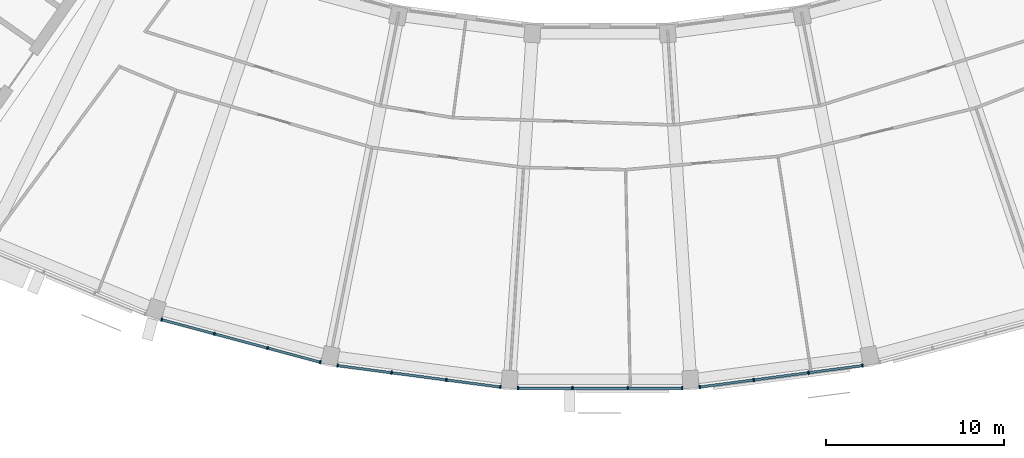
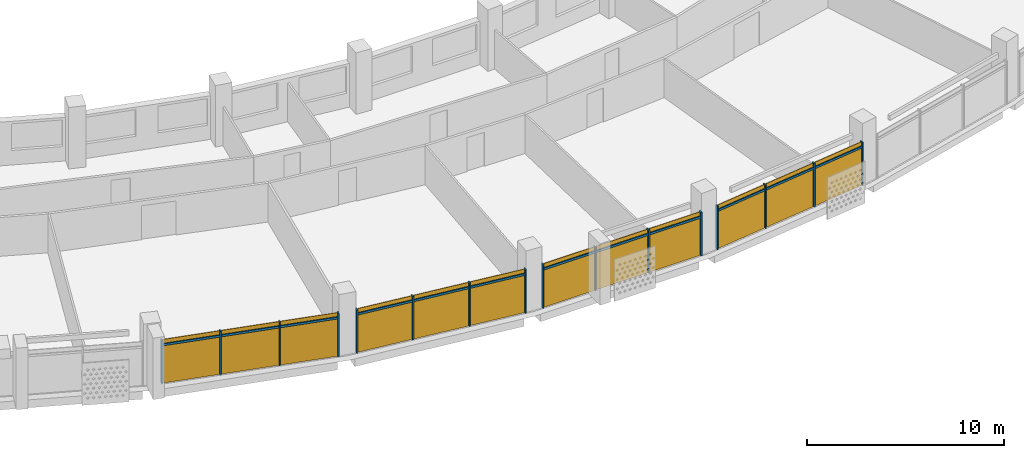
# One storey, part 20 of 28: 28 members, 4 curtain walls.
"""IFC4 building model written with IfcOpenShell, lengths in metres."""

from ifc_helpers import new_model, si_unit, direction, frame, origin, origin_2d, place, context, subcontext, project, spatial, rectangle, extrude, material, material_profile, profile_set, type_object, element, aggregate, save


model = new_model("IFC4")

# Units and contexts
model_context = context("Model", 3, precision=1e-05, world=origin(), true_north=direction((0.0, 1.0)))
body_context = subcontext(model_context, "Body", "Model", "MODEL_VIEW")
ifc_project = project(units=[si_unit("LENGTHUNIT", "METRE"), si_unit("AREAUNIT", "SQUARE_METRE"), si_unit("VOLUMEUNIT", "CUBIC_METRE"), si_unit("PLANEANGLEUNIT", "RADIAN"), si_unit("MASSUNIT", "GRAM", prefix="KILO")], contexts=[model_context])

# Member
ifc_material = material(Name="Aluminium 6063-T6 anodised", Category="aluminium")
ifc_material_profile_1 = material_profile(ifc_material, rectangle(XDim=0.199951171875, YDim=0.070068359375, at=origin_2d()))
ifc_profile_set_1 = profile_set([ifc_material_profile_1], Name="Aluminium 6063-T6 anodised")
member_type_1 = type_object("IfcMemberType", Name="Mullion 70 x 200 aluminium", PredefinedType="MULLION", material=ifc_profile_set_1)
site_placement = place(None, origin())
building_placement = place(site_placement, origin())
storey_placement = place(building_placement, frame((0.0, 0.0, 277.10009765625)))
member_1_placement = place(storey_placement, frame((-24.676025390625, -74.224853515625, 0.0), z_axis=(0.0, 0.0, 1.0), x_axis=(0.258819045103, 0.965925826289, 0.0)))
member_1 = element("IfcMember", 1, at=member_1_placement, type_object=member_type_1, Name="e-cw1-L67-out05/M00", PredefinedType="MULLION", context=body_context, shape_type="SweptSolid", body=[
    extrude(rectangle(XDim=0.199951171875, YDim=0.070068359375, at=origin_2d()), origin(), (0.0, 0.0, 1.0), 2.699951171875),
])

member_2_placement = place(storey_placement, frame((-21.70947265625, -75.019775390625, 0.0), z_axis=(0.0, 0.0, 1.0), x_axis=(0.258819045103, 0.965925826289, 0.0)))
member_2 = element("IfcMember", 2, at=member_2_placement, type_object=member_type_1, Name="e-cw1-L67-out05/M01", PredefinedType="MULLION", context=body_context, shape_type="SweptSolid", body=[
    extrude(rectangle(XDim=0.199951171875, YDim=0.070068359375, at=origin_2d()), origin(), (0.0, 0.0, 1.0), 2.699951171875),
])

member_3_placement = place(storey_placement, frame((-18.708984375, -75.82373046875, 0.0), z_axis=(0.0, 0.0, 1.0), x_axis=(0.258819045103, 0.965925826289, 0.0)))
member_3 = element("IfcMember", 3, at=member_3_placement, type_object=member_type_1, Name="e-cw1-L67-out05/M02", PredefinedType="MULLION", context=body_context, shape_type="SweptSolid", body=[
    extrude(rectangle(XDim=0.199951171875, YDim=0.070068359375, at=origin_2d()), origin(), (0.0, 0.0, 1.0), 2.699951171875),
])

member_4_placement = place(storey_placement, frame((-15.742431640625, -76.618408203125, 0.0), z_axis=(0.0, 0.0, 1.0), x_axis=(0.258819045103, 0.965925826289, 0.0)))
member_4 = element("IfcMember", 4, at=member_4_placement, type_object=member_type_1, Name="e-cw1-L67-out05/M03", PredefinedType="MULLION", context=body_context, shape_type="SweptSolid", body=[
    extrude(rectangle(XDim=0.199951171875, YDim=0.070068359375, at=origin_2d()), origin(), (0.0, 0.0, 1.0), 2.699951171875),
])

member_5_placement = place(storey_placement, frame((-14.776611328125, -76.810546875, 0.0), z_axis=(0.0, 0.0, 1.0), x_axis=(0.13052619222, 0.991444861374, 0.0)))
member_5 = element("IfcMember", 5, at=member_5_placement, type_object=member_type_1, Name="e-cw1-L67-out06/M00", PredefinedType="MULLION", context=body_context, shape_type="SweptSolid", body=[
    extrude(rectangle(XDim=0.199951171875, YDim=0.070068359375, at=origin_2d()), origin(), (0.0, 0.0, 1.0), 2.699951171875),
])

member_6_placement = place(storey_placement, frame((-11.731689453125, -77.21142578125, 0.0), z_axis=(0.0, 0.0, 1.0), x_axis=(0.13052619222, 0.991444861374, 0.0)))
member_6 = element("IfcMember", 6, at=member_6_placement, type_object=member_type_1, Name="e-cw1-L67-out06/M01", PredefinedType="MULLION", context=body_context, shape_type="SweptSolid", body=[
    extrude(rectangle(XDim=0.199951171875, YDim=0.070068359375, at=origin_2d()), origin(), (0.0, 0.0, 1.0), 2.699951171875),
])

member_7_placement = place(storey_placement, frame((-8.65185546875, -77.616943359375, 0.0), z_axis=(0.0, 0.0, 1.0), x_axis=(0.13052619222, 0.991444861374, 0.0)))
member_7 = element("IfcMember", 7, at=member_7_placement, type_object=member_type_1, Name="e-cw1-L67-out06/M02", PredefinedType="MULLION", context=body_context, shape_type="SweptSolid", body=[
    extrude(rectangle(XDim=0.199951171875, YDim=0.070068359375, at=origin_2d()), origin(), (0.0, 0.0, 1.0), 2.699951171875),
])

member_8_placement = place(storey_placement, frame((-5.60693359375, -78.017822265625, 0.0), z_axis=(0.0, 0.0, 1.0), x_axis=(0.13052619222, 0.991444861374, 0.0)))
member_8 = element("IfcMember", 8, at=member_8_placement, type_object=member_type_1, Name="e-cw1-L67-out06/M03", PredefinedType="MULLION", context=body_context, shape_type="SweptSolid", body=[
    extrude(rectangle(XDim=0.199951171875, YDim=0.070068359375, at=origin_2d()), origin(), (0.0, 0.0, 1.0), 2.699951171875),
])

member_9_placement = place(storey_placement, frame((-4.624267578125, -78.082275390625, 0.0), z_axis=(0.0, 0.0, 1.0), x_axis=(0.0, 1.0, 0.0)))
member_9 = element("IfcMember", 9, at=member_9_placement, type_object=member_type_1, Name="e-cw1-L67-out07/M00", PredefinedType="MULLION", context=body_context, shape_type="SweptSolid", body=[
    extrude(rectangle(XDim=0.199951171875, YDim=0.070068359375, at=origin_2d()), origin(), (0.0, 0.0, 1.0), 2.699951171875),
])

member_10_placement = place(storey_placement, frame((-1.55322265625, -78.082275390625, 0.0), z_axis=(0.0, 0.0, 1.0), x_axis=(0.0, 1.0, 0.0)))
member_10 = element("IfcMember", 10, at=member_10_placement, type_object=member_type_1, Name="e-cw1-L67-out07/M01", PredefinedType="MULLION", context=body_context, shape_type="SweptSolid", body=[
    extrude(rectangle(XDim=0.199951171875, YDim=0.070068359375, at=origin_2d()), origin(), (0.0, 0.0, 1.0), 2.699951171875),
])

member_11_placement = place(storey_placement, frame((1.55322265625, -78.082275390625, 0.0), z_axis=(0.0, 0.0, 1.0), x_axis=(0.0, 1.0, 0.0)))
member_11 = element("IfcMember", 11, at=member_11_placement, type_object=member_type_1, Name="e-cw1-L67-out07/M02", PredefinedType="MULLION", context=body_context, shape_type="SweptSolid", body=[
    extrude(rectangle(XDim=0.199951171875, YDim=0.070068359375, at=origin_2d()), origin(), (0.0, 0.0, 1.0), 2.699951171875),
])

member_12_placement = place(storey_placement, frame((4.624267578125, -78.082275390625, 0.0), z_axis=(0.0, 0.0, 1.0), x_axis=(0.0, 1.0, 0.0)))
member_12 = element("IfcMember", 12, at=member_12_placement, type_object=member_type_1, Name="e-cw1-L67-out07/M03", PredefinedType="MULLION", context=body_context, shape_type="SweptSolid", body=[
    extrude(rectangle(XDim=0.199951171875, YDim=0.070068359375, at=origin_2d()), origin(), (0.0, 0.0, 1.0), 2.699951171875),
])

member_13_placement = place(storey_placement, frame((5.60693359375, -78.017822265625, 0.0), z_axis=(0.0, 0.0, 1.0), x_axis=(-0.13052619222, 0.991444861374, 0.0)))
member_13 = element("IfcMember", 13, at=member_13_placement, type_object=member_type_1, Name="e-cw1-L67-out08/M00", PredefinedType="MULLION", context=body_context, shape_type="SweptSolid", body=[
    extrude(rectangle(XDim=0.199951171875, YDim=0.070068359375, at=origin_2d()), origin(), (0.0, 0.0, 1.0), 2.699951171875),
])

member_14_placement = place(storey_placement, frame((8.65185546875, -77.616943359375, 0.0), z_axis=(0.0, 0.0, 1.0), x_axis=(-0.13052619222, 0.991444861374, 0.0)))
member_14 = element("IfcMember", 14, at=member_14_placement, type_object=member_type_1, Name="e-cw1-L67-out08/M01", PredefinedType="MULLION", context=body_context, shape_type="SweptSolid", body=[
    extrude(rectangle(XDim=0.199951171875, YDim=0.070068359375, at=origin_2d()), origin(), (0.0, 0.0, 1.0), 2.699951171875),
])

member_15_placement = place(storey_placement, frame((11.731689453125, -77.21142578125, 0.0), z_axis=(0.0, 0.0, 1.0), x_axis=(-0.13052619222, 0.991444861374, 0.0)))
member_15 = element("IfcMember", 15, at=member_15_placement, type_object=member_type_1, Name="e-cw1-L67-out08/M02", PredefinedType="MULLION", context=body_context, shape_type="SweptSolid", body=[
    extrude(rectangle(XDim=0.199951171875, YDim=0.070068359375, at=origin_2d()), origin(), (0.0, 0.0, 1.0), 2.699951171875),
])

member_16_placement = place(storey_placement, frame((14.776611328125, -76.810546875, 0.0), z_axis=(0.0, 0.0, 1.0), x_axis=(-0.13052619222, 0.991444861374, 0.0)))
member_16 = element("IfcMember", 16, at=member_16_placement, type_object=member_type_1, Name="e-cw1-L67-out08/M03", PredefinedType="MULLION", context=body_context, shape_type="SweptSolid", body=[
    extrude(rectangle(XDim=0.199951171875, YDim=0.070068359375, at=origin_2d()), origin(), (0.0, 0.0, 1.0), 2.699951171875),
])

ifc_material_profile_2 = material_profile(ifc_material, rectangle(XDim=0.139892578125, YDim=0.1201171875, at=origin_2d()))
ifc_profile_set_2 = profile_set([ifc_material_profile_2], Name="Aluminium 6063-T6 anodised")
member_type_2 = type_object("IfcMemberType", Name="Transom 120 x 140 aluminium", PredefinedType="USERDEFINED", material=ifc_profile_set_2)
member_17_placement = place(storey_placement, frame((-24.64208984375, -74.23388671875, 2.39990234375), z_axis=(0.965918275034, -0.258847225127, 0.0), x_axis=(0.258847225127, 0.965918275034, 0.0)))
member_17 = element("IfcMember", 17, at=member_17_placement, type_object=member_type_2, Name="e-cw1-L67-out05/T00", ObjectType="TRANSOM", PredefinedType="USERDEFINED", context=body_context, shape_type="SweptSolid", body=[
    extrude(rectangle(XDim=0.139892578125, YDim=0.1201171875, at=origin_2d()), origin(), (0.0, 0.0, 1.0), 3.001220703125),
])

member_18_placement = place(storey_placement, frame((-21.675537109375, -75.02880859375, 2.39990234375), z_axis=(0.965943386189, -0.258753501769, 0.0), x_axis=(0.258753501769, 0.965943386189, 0.0)))
member_18 = element("IfcMember", 18, at=member_18_placement, type_object=member_type_2, Name="e-cw1-L67-out05/T01", ObjectType="TRANSOM", PredefinedType="USERDEFINED", context=body_context, shape_type="SweptSolid", body=[
    extrude(rectangle(XDim=0.139892578125, YDim=0.1201171875, at=origin_2d()), origin(), (0.0, 0.0, 1.0), 3.036376953125),
])

member_19_placement = place(storey_placement, frame((-18.67529296875, -75.832763671875, 2.39990234375), z_axis=(0.965944058071, -0.258750993577, 0.0), x_axis=(0.258750993577, 0.965944058071, 0.0)))
member_19 = element("IfcMember", 19, at=member_19_placement, type_object=member_type_2, Name="e-cw1-L67-out05/T02", ObjectType="TRANSOM", PredefinedType="USERDEFINED", context=body_context, shape_type="SweptSolid", body=[
    extrude(rectangle(XDim=0.139892578125, YDim=0.1201171875, at=origin_2d()), origin(), (0.0, 0.0, 1.0), 3.00146484375),
])

member_20_placement = place(storey_placement, frame((-14.741943359375, -76.815185546875, 2.39990234375), z_axis=(0.991440446253, -0.13055972401, 0.0), x_axis=(0.13055972401, 0.991440446253, 0.0)))
member_20 = element("IfcMember", 20, at=member_20_placement, type_object=member_type_2, Name="e-cw1-L67-out06/T00", ObjectType="TRANSOM", PredefinedType="USERDEFINED", context=body_context, shape_type="SweptSolid", body=[
    extrude(rectangle(XDim=0.139892578125, YDim=0.1201171875, at=origin_2d()), origin(), (0.0, 0.0, 1.0), 3.001220703125),
])

member_21_placement = place(storey_placement, frame((-11.697021484375, -77.216064453125, 2.39990234375), z_axis=(0.991447725786, -0.130504433005, 0.0), x_axis=(0.130504433005, 0.991447725786, 0.0)))
member_21 = element("IfcMember", 21, at=member_21_placement, type_object=member_type_2, Name="e-cw1-L67-out06/T01", ObjectType="TRANSOM", PredefinedType="USERDEFINED", context=body_context, shape_type="SweptSolid", body=[
    extrude(rectangle(XDim=0.139892578125, YDim=0.1201171875, at=origin_2d()), origin(), (0.0, 0.0, 1.0), 3.0361328125),
])

member_22_placement = place(storey_placement, frame((-8.6171875, -77.62158203125, 2.39990234375), z_axis=(0.991450972696, -0.130479763719, 0.0), x_axis=(0.130479763719, 0.991450972696, 0.0)))
member_22 = element("IfcMember", 22, at=member_22_placement, type_object=member_type_2, Name="e-cw1-L67-out06/T02", ObjectType="TRANSOM", PredefinedType="USERDEFINED", context=body_context, shape_type="SweptSolid", body=[
    extrude(rectangle(XDim=0.139892578125, YDim=0.1201171875, at=origin_2d()), origin(), (0.0, 0.0, 1.0), 3.001220703125),
])

member_23_placement = place(storey_placement, frame((-4.58935546875, -78.082275390625, 2.39990234375), z_axis=(1.0, 0.0, 0.0), x_axis=(0.0, 1.0, 0.0)))
member_23 = element("IfcMember", 23, at=member_23_placement, type_object=member_type_2, Name="e-cw1-L67-out07/T00", ObjectType="TRANSOM", PredefinedType="USERDEFINED", context=body_context, shape_type="SweptSolid", body=[
    extrude(rectangle(XDim=0.139892578125, YDim=0.1201171875, at=origin_2d()), origin(), (0.0, 0.0, 1.0), 3.001220703125),
])

member_24_placement = place(storey_placement, frame((-1.51806640625, -78.082275390625, 2.39990234375), z_axis=(1.0, 0.0, 0.0), x_axis=(0.0, 1.0, 0.0)))
member_24 = element("IfcMember", 24, at=member_24_placement, type_object=member_type_2, Name="e-cw1-L67-out07/T01", ObjectType="TRANSOM", PredefinedType="USERDEFINED", context=body_context, shape_type="SweptSolid", body=[
    extrude(rectangle(XDim=0.139892578125, YDim=0.1201171875, at=origin_2d()), origin(), (0.0, 0.0, 1.0), 3.0361328125),
])

member_25_placement = place(storey_placement, frame((1.588134765625, -78.082275390625, 2.39990234375), z_axis=(1.0, 0.0, 0.0), x_axis=(0.0, 1.0, 0.0)))
member_25 = element("IfcMember", 25, at=member_25_placement, type_object=member_type_2, Name="e-cw1-L67-out07/T02", ObjectType="TRANSOM", PredefinedType="USERDEFINED", context=body_context, shape_type="SweptSolid", body=[
    extrude(rectangle(XDim=0.139892578125, YDim=0.1201171875, at=origin_2d()), origin(), (0.0, 0.0, 1.0), 3.001220703125),
])

member_26_placement = place(storey_placement, frame((5.6416015625, -78.01318359375, 2.39990234375), z_axis=(0.991450972696, 0.130479763719, 0.0), x_axis=(-0.130479763719, 0.991450972696, 0.0)))
member_26 = element("IfcMember", 26, at=member_26_placement, type_object=member_type_2, Name="e-cw1-L67-out08/T00", ObjectType="TRANSOM", PredefinedType="USERDEFINED", context=body_context, shape_type="SweptSolid", body=[
    extrude(rectangle(XDim=0.139892578125, YDim=0.1201171875, at=origin_2d()), origin(), (0.0, 0.0, 1.0), 3.001220703125),
])

member_27_placement = place(storey_placement, frame((8.686767578125, -77.6123046875, 2.39990234375), z_axis=(0.991447725786, 0.130504433005, 0.0), x_axis=(-0.130504433005, 0.991447725786, 0.0)))
member_27 = element("IfcMember", 27, at=member_27_placement, type_object=member_type_2, Name="e-cw1-L67-out08/T01", ObjectType="TRANSOM", PredefinedType="USERDEFINED", context=body_context, shape_type="SweptSolid", body=[
    extrude(rectangle(XDim=0.139892578125, YDim=0.1201171875, at=origin_2d()), origin(), (0.0, 0.0, 1.0), 3.0361328125),
])

member_28_placement = place(storey_placement, frame((11.766357421875, -77.20703125, 2.39990234375), z_axis=(0.991440446253, 0.13055972401, 0.0), x_axis=(-0.13055972401, 0.991440446253, 0.0)))
member_28 = element("IfcMember", 28, at=member_28_placement, type_object=member_type_2, Name="e-cw1-L67-out08/T02", ObjectType="TRANSOM", PredefinedType="USERDEFINED", context=body_context, shape_type="SweptSolid", body=[
    extrude(rectangle(XDim=0.139892578125, YDim=0.1201171875, at=origin_2d()), origin(), (0.0, 0.0, 1.0), 3.001220703125),
])

# Site, building, storey
site = spatial("IfcSite", under=ifc_project, at=site_placement, CompositionType="ELEMENT")
building = spatial("IfcBuilding", under=site, at=building_placement, Name="Qamariyya Broadcast Tower", CompositionType="ELEMENT")
storey = spatial("IfcBuildingStorey", under=building, at=storey_placement, Name="L67", CompositionType="ELEMENT", Elevation=277.10009765625)

# Curtain wall
curtain_wall_type = type_object("IfcCurtainWallType", Name="Unitised curtain wall, anodised aluminium", PredefinedType="NOTDEFINED", material=ifc_material)
curtain_wall_1_placement = place(storey_placement, origin())
curtain_wall_1 = element("IfcCurtainWall", 29, at=curtain_wall_1_placement, inside=storey, type_object=curtain_wall_type, Name="e-cw1-L67-out05", PredefinedType="NOTDEFINED", context=body_context, shape_type="SweptSolid", body=[
    extrude(rectangle(XDim=3.001220703125, YDim=0.031982421875, at=origin_2d()), frame((-23.192626953125, -74.622314453125, 0.0), x_axis=(0.965925949265, -0.258818586151, 0.0)), (0.0, 0.0, 1.0), 2.340087890625),
    extrude(rectangle(XDim=3.001220703125, YDim=0.031982421875, at=origin_2d()), frame((-23.192626953125, -74.622314453125, 2.4599609375), x_axis=(0.965925949265, -0.258818586151, 0.0)), (0.0, 0.0, 1.0), 0.239990234375),
    extrude(rectangle(XDim=3.0361328125, YDim=0.031982421875, at=origin_2d()), frame((-20.208984375, -75.421875, 0.0), x_axis=(0.965925949265, -0.258818586151, 0.0)), (0.0, 0.0, 1.0), 2.340087890625),
    extrude(rectangle(XDim=3.0361328125, YDim=0.031982421875, at=origin_2d()), frame((-20.208984375, -75.421875, 2.4599609375), x_axis=(0.965925949265, -0.258818586151, 0.0)), (0.0, 0.0, 1.0), 0.239990234375),
    extrude(rectangle(XDim=3.001220703125, YDim=0.031982421875, at=origin_2d()), frame((-17.2255859375, -76.22119140625, 0.0), x_axis=(0.965925949265, -0.258818586151, 0.0)), (0.0, 0.0, 1.0), 2.340087890625),
    extrude(rectangle(XDim=3.001220703125, YDim=0.031982421875, at=origin_2d()), frame((-17.2255859375, -76.22119140625, 2.4599609375), x_axis=(0.965925949265, -0.258818586151, 0.0)), (0.0, 0.0, 1.0), 0.239990234375),
])

aggregate(curtain_wall_1, [member_1, member_2, member_3, member_4, member_17, member_18, member_19])

curtain_wall_2_placement = place(storey_placement, origin())
curtain_wall_2 = element("IfcCurtainWall", 30, at=curtain_wall_2_placement, inside=storey, type_object=curtain_wall_type, Name="e-cw1-L67-out06", PredefinedType="NOTDEFINED", context=body_context, shape_type="SweptSolid", body=[
    extrude(rectangle(XDim=3.001220703125, YDim=0.031982421875, at=origin_2d()), frame((-13.254150390625, -77.01123046875, 0.0), x_axis=(0.991445286748, -0.130522961144, 0.0)), (0.0, 0.0, 1.0), 2.340087890625),
    extrude(rectangle(XDim=3.001220703125, YDim=0.031982421875, at=origin_2d()), frame((-13.254150390625, -77.01123046875, 2.4599609375), x_axis=(0.991445286748, -0.130522961144, 0.0)), (0.0, 0.0, 1.0), 0.239990234375),
    extrude(rectangle(XDim=3.0361328125, YDim=0.031982421875, at=origin_2d()), frame((-10.19189453125, -77.414306640625, 0.0), x_axis=(0.991445286748, -0.130522961144, 0.0)), (0.0, 0.0, 1.0), 2.340087890625),
    extrude(rectangle(XDim=3.0361328125, YDim=0.031982421875, at=origin_2d()), frame((-10.19189453125, -77.414306640625, 2.4599609375), x_axis=(0.991445286748, -0.130522961144, 0.0)), (0.0, 0.0, 1.0), 0.239990234375),
    extrude(rectangle(XDim=3.001220703125, YDim=0.031982421875, at=origin_2d()), frame((-7.12939453125, -77.8173828125, 0.0), x_axis=(0.991445286748, -0.130522961144, 0.0)), (0.0, 0.0, 1.0), 2.340087890625),
    extrude(rectangle(XDim=3.001220703125, YDim=0.031982421875, at=origin_2d()), frame((-7.12939453125, -77.8173828125, 2.4599609375), x_axis=(0.991445286748, -0.130522961144, 0.0)), (0.0, 0.0, 1.0), 0.239990234375),
])

aggregate(curtain_wall_2, [member_5, member_6, member_7, member_8, member_20, member_21, member_22])

curtain_wall_3_placement = place(storey_placement, origin())
curtain_wall_3 = element("IfcCurtainWall", 31, at=curtain_wall_3_placement, inside=storey, type_object=curtain_wall_type, Name="e-cw1-L67-out07", PredefinedType="NOTDEFINED", context=body_context, shape_type="SweptSolid", body=[
    extrude(rectangle(XDim=3.001220703125, YDim=0.031982421875, at=origin_2d()), frame((-3.0888671875, -78.082275390625, 0.0), x_axis=(1.0, 0.0, 0.0)), (0.0, 0.0, 1.0), 2.340087890625),
    extrude(rectangle(XDim=3.001220703125, YDim=0.031982421875, at=origin_2d()), frame((-3.0888671875, -78.082275390625, 2.4599609375), x_axis=(1.0, 0.0, 0.0)), (0.0, 0.0, 1.0), 0.239990234375),
    extrude(rectangle(XDim=3.036376953125, YDim=0.031982421875, at=origin_2d()), frame((0.0, -78.082275390625, 0.0), x_axis=(1.0, 0.0, 0.0)), (0.0, 0.0, 1.0), 2.340087890625),
    extrude(rectangle(XDim=3.036376953125, YDim=0.031982421875, at=origin_2d()), frame((0.0, -78.082275390625, 2.4599609375), x_axis=(1.0, 0.0, 0.0)), (0.0, 0.0, 1.0), 0.239990234375),
    extrude(rectangle(XDim=3.001220703125, YDim=0.031982421875, at=origin_2d()), frame((3.0888671875, -78.082275390625, 0.0), x_axis=(1.0, 0.0, 0.0)), (0.0, 0.0, 1.0), 2.340087890625),
    extrude(rectangle(XDim=3.001220703125, YDim=0.031982421875, at=origin_2d()), frame((3.0888671875, -78.082275390625, 2.4599609375), x_axis=(1.0, 0.0, 0.0)), (0.0, 0.0, 1.0), 0.239990234375),
])

aggregate(curtain_wall_3, [member_9, member_10, member_11, member_12, member_23, member_24, member_25])

curtain_wall_4_placement = place(storey_placement, origin())
curtain_wall_4 = element("IfcCurtainWall", 32, at=curtain_wall_4_placement, inside=storey, type_object=curtain_wall_type, Name="e-cw1-L67-out08", PredefinedType="NOTDEFINED", context=body_context, shape_type="SweptSolid", body=[
    extrude(rectangle(XDim=3.001220703125, YDim=0.031982421875, at=origin_2d()), frame((7.12939453125, -77.8173828125, 0.0), x_axis=(0.991445286748, 0.130522961144, 0.0)), (0.0, 0.0, 1.0), 2.340087890625),
    extrude(rectangle(XDim=3.001220703125, YDim=0.031982421875, at=origin_2d()), frame((7.12939453125, -77.8173828125, 2.4599609375), x_axis=(0.991445286748, 0.130522961144, 0.0)), (0.0, 0.0, 1.0), 0.239990234375),
    extrude(rectangle(XDim=3.0361328125, YDim=0.031982421875, at=origin_2d()), frame((10.19189453125, -77.414306640625, 0.0), x_axis=(0.991445286748, 0.130522961144, 0.0)), (0.0, 0.0, 1.0), 2.340087890625),
    extrude(rectangle(XDim=3.0361328125, YDim=0.031982421875, at=origin_2d()), frame((10.19189453125, -77.414306640625, 2.4599609375), x_axis=(0.991445286748, 0.130522961144, 0.0)), (0.0, 0.0, 1.0), 0.239990234375),
    extrude(rectangle(XDim=3.001220703125, YDim=0.031982421875, at=origin_2d()), frame((13.254150390625, -77.01123046875, 0.0), x_axis=(0.991445286748, 0.130522961144, 0.0)), (0.0, 0.0, 1.0), 2.340087890625),
    extrude(rectangle(XDim=3.001220703125, YDim=0.031982421875, at=origin_2d()), frame((13.254150390625, -77.01123046875, 2.4599609375), x_axis=(0.991445286748, 0.130522961144, 0.0)), (0.0, 0.0, 1.0), 0.239990234375),
])

aggregate(curtain_wall_4, [member_13, member_14, member_15, member_16, member_26, member_27, member_28])

save(model, "model.ifc")
